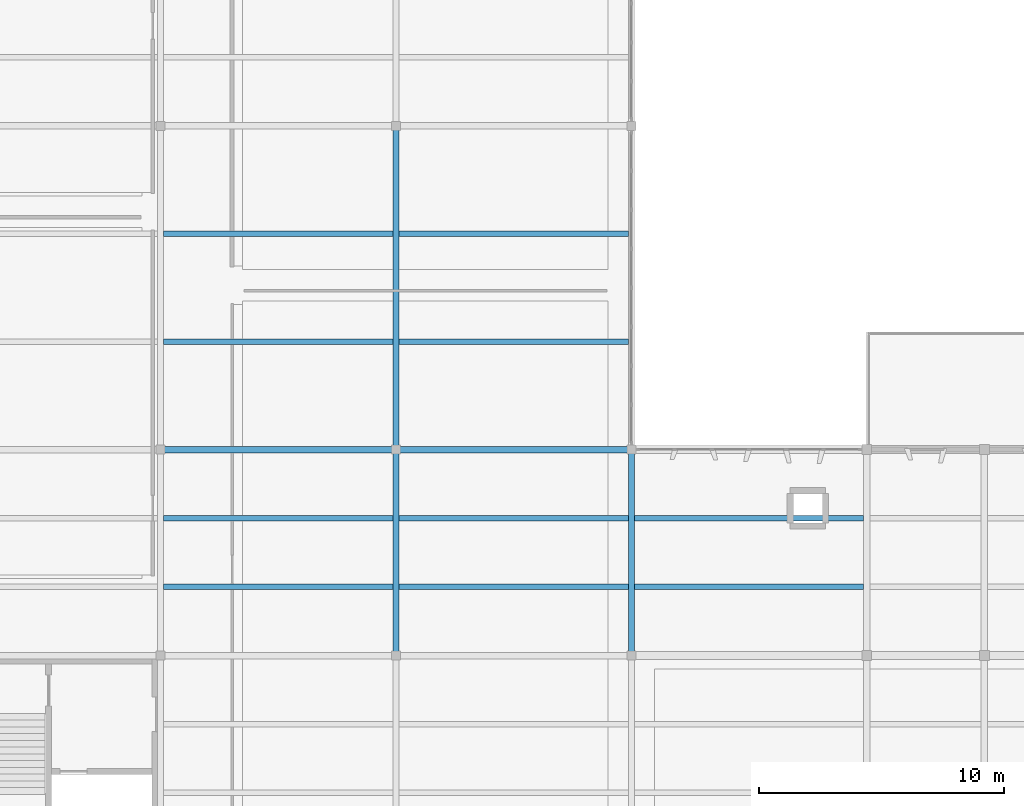
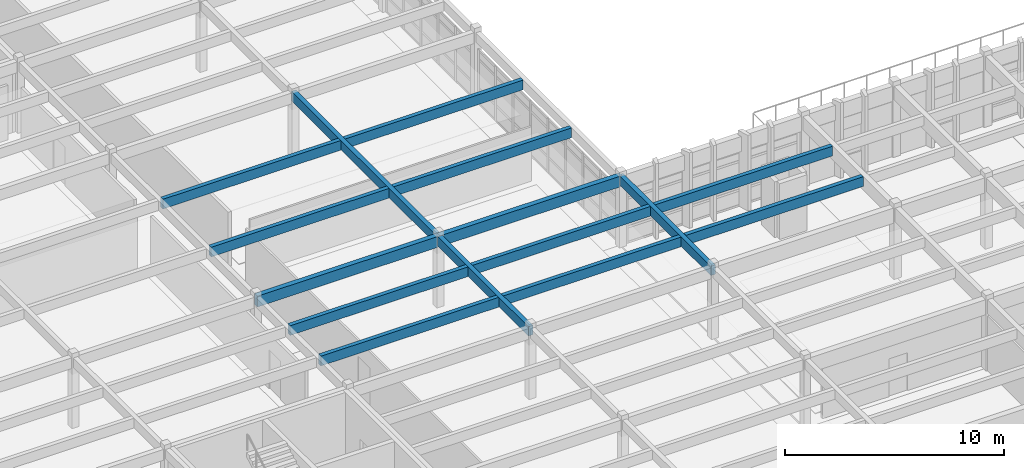
# One storey, part 10 of 61: 15 beams.
"""IFC4 building model written with IfcOpenShell, lengths in metres."""

from ifc_helpers import new_model, si_unit, direction, frame, origin, origin_2d, place, context, subcontext, project, spatial, rectangle, extrude, material, material_profile, profile_set, type_object, element, save


model = new_model("IFC4")

# Units and contexts
model_context = context("Model", 3, precision=1e-05, world=origin(), true_north=direction((0.0, 1.0)))
body_context = subcontext(model_context, "Body", "Model", "MODEL_VIEW")
ifc_project = project(units=[si_unit("LENGTHUNIT", "METRE"), si_unit("AREAUNIT", "SQUARE_METRE"), si_unit("VOLUMEUNIT", "CUBIC_METRE"), si_unit("PLANEANGLEUNIT", "RADIAN"), si_unit("MASSUNIT", "GRAM", prefix="KILO")], contexts=[model_context])

# Site, building, storey
site_placement = place(None, origin())
site = spatial("IfcSite", under=ifc_project, at=site_placement, CompositionType="ELEMENT")
building_placement = place(site_placement, origin())
building = spatial("IfcBuilding", under=site, at=building_placement, Name="Kolvemor Railside Polytechnic", CompositionType="ELEMENT")
storey_placement = place(building_placement, frame((0.0, 0.0, 10.199951171875)))
storey = spatial("IfcBuildingStorey", under=building, at=storey_placement, Name="L02", CompositionType="ELEMENT", Elevation=10.199951171875)

# Beams
ifc_material_1 = material(Name="Glulam GL28h", Category="wood")
ifc_material_profile_1 = material_profile(ifc_material_1, rectangle(XDim=0.264892578125, YDim=0.60009765625, at=origin_2d()), Name="GL265x600")
ifc_profile_set_1 = profile_set([ifc_material_profile_1], Name="Glulam GL28h")
beam_type_1 = type_object("IfcBeamType", Name="BM-GL-GIRD7", PredefinedType="BEAM", material=ifc_profile_set_1)
beam_1_placement = place(storey_placement, frame((28.800048828125, 38.39990234375, 3.650146484375), z_axis=(1.0, 0.0, 0.0), x_axis=(0.0, 1.0, 0.0)))
element("IfcBeam", 1, at=beam_1_placement, inside=storey, type_object=beam_type_1, Name="Primary Girder L03-GX 1111", PredefinedType="BEAM", context=body_context, shape_type="SweptSolid", body=[
    extrude(rectangle(XDim=0.264892578125, YDim=0.60009765625, at=origin_2d()), origin(), (0.0, 0.0, 1.0), 9.599853515625),
])
beam_2_placement = place(storey_placement, frame((38.39990234375, 38.39990234375, 3.650146484375), z_axis=(1.0, 0.0, 0.0), x_axis=(0.0, 1.0, 0.0)))
element("IfcBeam", 2, at=beam_2_placement, inside=storey, type_object=beam_type_1, Name="Primary Girder L03-GX 1112", PredefinedType="BEAM", context=body_context, shape_type="SweptSolid", body=[
    extrude(rectangle(XDim=0.264892578125, YDim=0.60009765625, at=origin_2d()), origin(), (0.0, 0.0, 1.0), 9.60009765625),
])
ifc_material_2 = material(Name="Glulam GL28h", Category="wood")
ifc_material_profile_2 = material_profile(ifc_material_2, rectangle(XDim=0.239990234375, YDim=0.52001953125, at=origin_2d()), Name="GL240x520")
ifc_profile_set_2 = profile_set([ifc_material_profile_2], Name="Glulam GL28h")
beam_type_2 = type_object("IfcBeamType", Name="BM-GL-GIRD8", PredefinedType="BEAM", material=ifc_profile_set_2)
beam_3_placement = place(storey_placement, frame((38.39990234375, 30.0, 3.68994140625), z_axis=(0.0, 1.0, 0.0), x_axis=(-1.0, 0.0, 0.0)))
element("IfcBeam", 3, at=beam_3_placement, inside=storey, type_object=beam_type_2, Name="Primary Girder L03-GY 1152", PredefinedType="BEAM", context=body_context, shape_type="SweptSolid", body=[
    extrude(rectangle(XDim=0.239990234375, YDim=0.52001953125, at=origin_2d()), origin(), (0.0, 0.0, 1.0), 8.39990234375),
])
beam_4_placement = place(storey_placement, frame((38.39990234375, 38.39990234375, 3.68994140625), z_axis=(0.0, 1.0, 0.0), x_axis=(-1.0, 0.0, 0.0)))
element("IfcBeam", 4, at=beam_4_placement, inside=storey, type_object=beam_type_2, Name="Primary Girder L03-GY 1153", PredefinedType="BEAM", context=body_context, shape_type="SweptSolid", body=[
    extrude(rectangle(XDim=0.239990234375, YDim=0.52001953125, at=origin_2d()), origin(), (0.0, 0.0, 1.0), 13.2001953125),
])
beam_5_placement = place(storey_placement, frame((48.0, 30.0, 3.68994140625), z_axis=(0.0, 1.0, 0.0), x_axis=(-1.0, 0.0, 0.0)))
element("IfcBeam", 5, at=beam_5_placement, inside=storey, type_object=beam_type_2, Name="Primary Girder L03-GY 1159", PredefinedType="BEAM", context=body_context, shape_type="SweptSolid", body=[
    extrude(rectangle(XDim=0.239990234375, YDim=0.52001953125, at=origin_2d()), origin(), (0.0, 0.0, 1.0), 8.39990234375),
])
ifc_material_3 = material(Name="Glulam GL28h", Category="wood")
ifc_material_profile_3 = material_profile(ifc_material_3, rectangle(XDim=0.215087890625, YDim=0.5400390625, at=origin_2d()), Name="GL215x540")
ifc_profile_set_3 = profile_set([ifc_material_profile_3], Name="Glulam GL28h")
beam_type_3 = type_object("IfcBeamType", Name="BM-GL-JST1", PredefinedType="JOIST", material=ifc_profile_set_3)
for number, where, z_axis, x_axis, name in (
    (6, (28.919921875, 32.800048828125, 3.679931640625), (1.0, 0.0, 0.0), (0.0, 1.0, 0.0), "Floor Joist L03-J1192"),
    (7, (28.919921875, 35.60009765625, 3.679931640625), (1.0, 0.0, 0.0), (0.0, 1.0, 0.0), "Floor Joist L03-J1193"),
    (8, (28.919921875, 42.800048828125, 3.679931640625), (1.0, 0.0, 0.0), (0.0, 1.0, 0.0), "Floor Joist L03-J1194"),
    (9, (28.919921875, 47.199951171875, 3.679931640625), (1.0, 0.0, 0.0), (0.0, 1.0, 0.0), "Floor Joist L03-J1195"),
):
    element("IfcBeam", number, at=place(storey_placement, frame(where, z_axis=z_axis, x_axis=x_axis)), inside=storey, type_object=beam_type_3, Name=name, PredefinedType="JOIST", context=body_context, shape_type="SweptSolid", body=[
        extrude(rectangle(XDim=0.215087890625, YDim=0.5400390625, at=origin_2d()), origin(), (0.0, 0.0, 1.0), 9.360107421875),
    ])
for number, where, z_axis, x_axis, name in (
    (10, (38.52001953125, 32.800048828125, 3.679931640625), (1.0, 0.0, 0.0), (0.0, 1.0, 0.0), "Floor Joist L03-J1206"),
    (11, (38.52001953125, 35.60009765625, 3.679931640625), (1.0, 0.0, 0.0), (0.0, 1.0, 0.0), "Floor Joist L03-J1207"),
    (12, (38.52001953125, 42.800048828125, 3.679931640625), (1.0, 0.0, 0.0), (0.0, 1.0, 0.0), "Floor Joist L03-J1208"),
    (13, (38.52001953125, 47.199951171875, 3.679931640625), (1.0, 0.0, 0.0), (0.0, 1.0, 0.0), "Floor Joist L03-J1209"),
):
    element("IfcBeam", number, at=place(storey_placement, frame(where, z_axis=z_axis, x_axis=x_axis)), inside=storey, type_object=beam_type_3, Name=name, PredefinedType="JOIST", context=body_context, shape_type="SweptSolid", body=[
        extrude(rectangle(XDim=0.215087890625, YDim=0.5400390625, at=origin_2d()), origin(), (0.0, 0.0, 1.0), 9.35986328125),
    ])
for number, where, z_axis, x_axis, name in (
    (14, (48.133056640625, 32.800048828125, 3.679931640625), (1.0, 0.0, 0.0), (0.0, 1.0, 0.0), "Floor Joist L03-J1918"),
    (15, (48.133056640625, 35.60009765625, 3.679931640625), (1.0, 0.0, 0.0), (0.0, 1.0, 0.0), "Floor Joist L03-J1919"),
):
    element("IfcBeam", number, at=place(storey_placement, frame(where, z_axis=z_axis, x_axis=x_axis)), inside=storey, type_object=beam_type_3, Name=name, PredefinedType="JOIST", context=body_context, shape_type="SweptSolid", body=[
        extrude(rectangle(XDim=0.215087890625, YDim=0.5400390625, at=origin_2d()), origin(), (0.0, 0.0, 1.0), 9.333984375),
    ])

save(model, "model.ifc")
